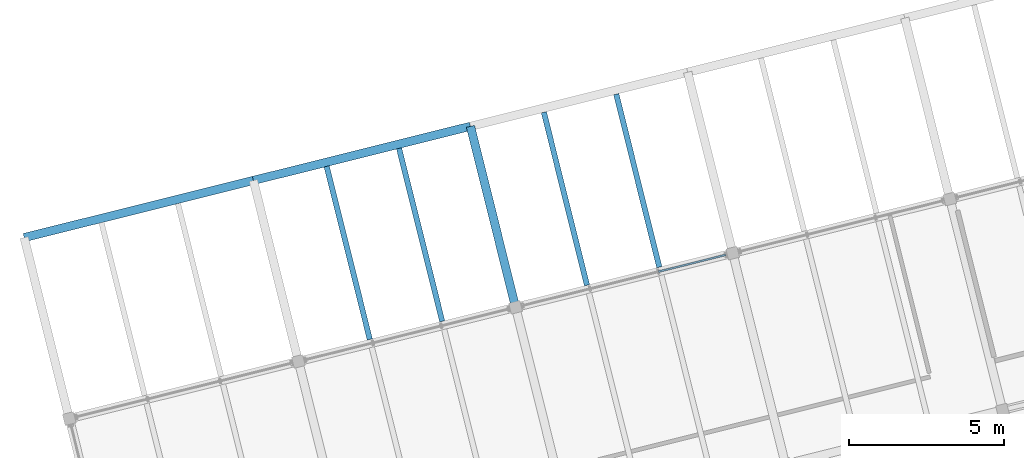
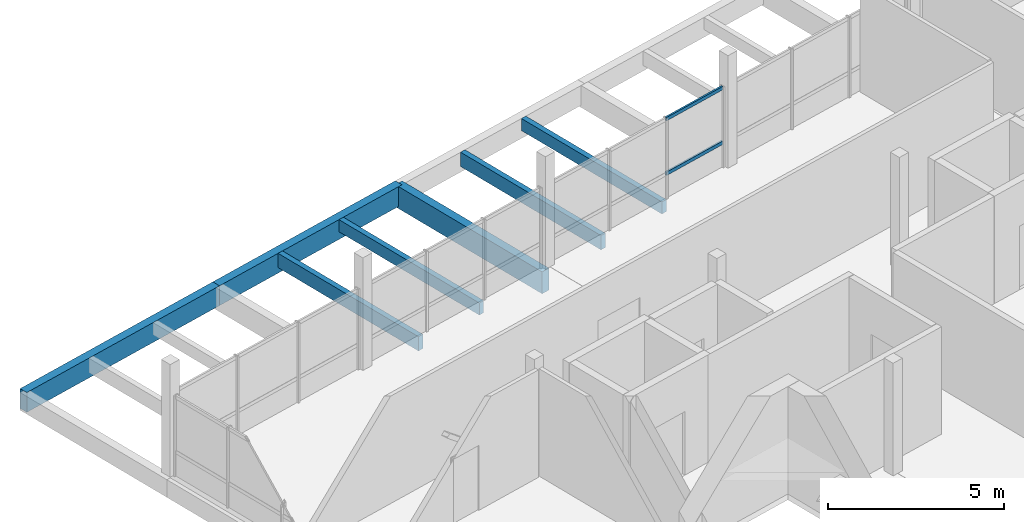
# One storey, part 19 of 28: 7 beams, 2 members, 1 element without a shape of its own.
"""IFC4 building model written with IfcOpenShell, lengths in metres."""

from ifc_helpers import new_model, si_unit, direction, frame, origin, origin_2d, place, context, subcontext, project, spatial, rectangle, hollow_rectangle, extrude, material, layer, layer_set, material_profile, profile_set, type_object, element, aggregate, save


model = new_model("IFC4")

# Units and contexts
model_context = context("Model", 3, precision=1e-05, world=origin(), true_north=direction((0.0, 1.0)))
body_context = subcontext(model_context, "Body", "Model", "MODEL_VIEW")
ifc_project = project(units=[si_unit("LENGTHUNIT", "METRE"), si_unit("AREAUNIT", "SQUARE_METRE"), si_unit("VOLUMEUNIT", "CUBIC_METRE"), si_unit("PLANEANGLEUNIT", "RADIAN"), si_unit("MASSUNIT", "GRAM", prefix="KILO")], contexts=[model_context])

# Site, building, storey
site_placement = place(None, origin())
site = spatial("IfcSite", under=ifc_project, at=site_placement, CompositionType="ELEMENT")
building_placement = place(site_placement, origin())
building = spatial("IfcBuilding", under=site, at=building_placement, Name="Meriwether Solvik Hall", CompositionType="ELEMENT")
storey_placement = place(building_placement, frame((0.0, 0.0, 45.60009765625)))
storey = spatial("IfcBuildingStorey", under=building, at=storey_placement, Name="L11", CompositionType="ELEMENT", Elevation=45.60009765625)

# Beams
ifc_material_1 = material(Name="Glulam Douglas-Fir 24F-V8 GL28h", Category="wood")
ifc_material_profile_1 = material_profile(ifc_material_1, rectangle(XDim=0.27294921875, YDim=0.68505859375, at=origin_2d()), Name="GLB-273X685")
ifc_profile_set_1 = profile_set([ifc_material_profile_1], Name="Glulam Douglas-Fir 24F-V8 GL28h")
beam_type_1 = type_object("IfcBeamType", Name="BM-GL-273X685", PredefinedType="BEAM", material=ifc_profile_set_1)
beam_1_placement = place(storey_placement, frame((60.374755859375, 74.18994140625, -0.54248046875), z_axis=(0.970295366785, 0.241923337436, 0.0), x_axis=(-0.241923337436, 0.970295366785, 0.0)))
element("IfcBeam", 1, at=beam_1_placement, inside=storey, type_object=beam_type_1, Name="Tower Girder TF:T1-T2 (L11)", PredefinedType="BEAM", context=body_context, shape_type="SweptSolid", body=[
    extrude(rectangle(XDim=0.27294921875, YDim=0.68505859375, at=origin_2d()), origin(), (0.0, 0.0, 1.0), 7.60009765625),
])
beam_2_placement = place(storey_placement, frame((67.7490234375, 76.028564453125, -0.54248046875), z_axis=(0.970291911955, 0.241937193493, 0.0), x_axis=(-0.241937193493, 0.970291911955, 0.0)))
element("IfcBeam", 2, at=beam_2_placement, inside=storey, type_object=beam_type_1, Name="Tower Girder TF:T2-T3 (L11)", PredefinedType="BEAM", context=body_context, shape_type="SweptSolid", body=[
    extrude(rectangle(XDim=0.27294921875, YDim=0.68505859375, at=origin_2d()), origin(), (0.0, 0.0, 1.0), 7.199951171875),
])
ifc_material_2 = material(Name="Glulam Douglas-Fir 24F-V8 GL28h", Category="wood")
ifc_material_profile_2 = material_profile(ifc_material_2, rectangle(XDim=0.27294921875, YDim=0.760009765625, at=origin_2d()), Name="GLB-273X760")
ifc_profile_set_2 = profile_set([ifc_material_profile_2], Name="Glulam Douglas-Fir 24F-V8 GL28h")
beam_type_2 = type_object("IfcBeamType", Name="BM-GL-273X760", PredefinedType="BEAM", material=ifc_profile_set_2)
beam_3_placement = place(storey_placement, frame((76.1865234375, 71.94873046875, -0.580078125), z_axis=(-0.241903677572, 0.970300268359, 0.0), x_axis=(-0.970300268359, -0.241903677572, 0.0)))
element("IfcBeam", 3, at=beam_3_placement, inside=storey, type_object=beam_type_2, Name="Tower Girder T3:TE-TF (L11)", PredefinedType="BEAM", context=body_context, shape_type="SweptSolid", body=[
    extrude(rectangle(XDim=0.27294921875, YDim=0.760009765625, at=origin_2d()), origin(), (0.0, 0.0, 1.0), 6.0),
])

# Curtain wall, members
ifc_material_3 = material(Name="Thermally Broken Anodised Aluminium 6063-T6 and Low-E Glass", Category="aluminium")
ifc_layer = layer(ifc_material_3, 0.179931640625)
ifc_layer_set = layer_set([ifc_layer], Name="Thermally Broken Anodised Aluminium 6063-T6 and Low-E Glass")
curtain_wall_type = type_object("IfcCurtainWallType", Name="CW-UNIT-F", PredefinedType="USERDEFINED", material=ifc_layer_set)
curtain_wall_placement = place(storey_placement, origin())
curtain_wall = element("IfcCurtainWall", 4, at=curtain_wall_placement, inside=storey, type_object=curtain_wall_type, Name="Curtain Wall E2_B2 (L11)", ObjectType="UNITISED CURTAIN WALL", PredefinedType="USERDEFINED")
ifc_material_4 = material(Name="Anodised Aluminium 6063-T6", Category="aluminium")
ifc_material_profile_3 = material_profile(ifc_material_4, hollow_rectangle(XDim=0.06005859375, YDim=0.1201171875, WallThickness=0.00390625, at=origin_2d()), Name="CWT-60X120")
ifc_profile_set_3 = profile_set([ifc_material_profile_3], Name="Anodised Aluminium 6063-T6")
member_type = type_object("IfcMemberType", Name="CW-TRN-60X120", PredefinedType="USERDEFINED", material=ifc_profile_set_3)
member_1_placement = place(storey_placement, frame((80.781005859375, 73.09423828125, 0.8369140625), z_axis=(0.970296702868, 0.241917978668, 0.0), x_axis=(-0.241917978668, 0.970296702868, 0.0)))
member_1 = element("IfcMember", 5, at=member_1_placement, type_object=member_type, Name="Curtain Wall Transom 3-sill", ObjectType="TRANSOM", PredefinedType="USERDEFINED", context=body_context, shape_type="SweptSolid", body=[
    extrude(hollow_rectangle(XDim=0.06005859375, YDim=0.1201171875, WallThickness=0.00390625, at=origin_2d()), origin(), (0.0, 0.0, 1.0), 2.232421875),
])
member_2_placement = place(storey_placement, frame((80.781005859375, 73.09423828125, 2.72998046875), z_axis=(0.970296702868, 0.241917978668, 0.0), x_axis=(-0.241917978668, 0.970296702868, 0.0)))
member_2 = element("IfcMember", 6, at=member_2_placement, type_object=member_type, Name="Curtain Wall Transom 3-head", ObjectType="TRANSOM", PredefinedType="USERDEFINED", context=body_context, shape_type="SweptSolid", body=[
    extrude(hollow_rectangle(XDim=0.06005859375, YDim=0.1201171875, WallThickness=0.00390625, at=origin_2d()), origin(), (0.0, 0.0, 1.0), 2.232421875),
])
aggregate(curtain_wall, [member_1, member_2])

# Beams
ifc_material_5 = material(Name="Glulam Douglas-Fir 24F-V8 GL28h", Category="wood")
ifc_material_profile_4 = material_profile(ifc_material_5, rectangle(XDim=0.175048828125, YDim=0.419921875, at=origin_2d()), Name="GLJ-175X420")
ifc_profile_set_4 = profile_set([ifc_material_profile_4], Name="Glulam Douglas-Fir 24F-V8 GL28h")
beam_type_3 = type_object("IfcBeamType", Name="JST-GL-175X420", PredefinedType="JOIST", material=ifc_profile_set_4)
for number, where, z_axis, x_axis, name in (
    (7, (73.825927734375, 71.49560546875, -0.41015625), (-0.24188472362, 0.970304993535, 0.0), (-0.970304993535, -0.24188472362, 0.0), "Glulam Floor Joist T2/TE-J2 (L11)"),
    (8, (80.812255859375, 73.237548828125, -0.41015625), (-0.241924788532, 0.970295004982, 0.0), (-0.970295004982, -0.241924788532, 0.0), "Glulam Floor Joist T3/TE-J2 (L11)"),
):
    element("IfcBeam", number, at=place(storey_placement, frame(where, z_axis=z_axis, x_axis=x_axis)), inside=storey, type_object=beam_type_3, Name=name, PredefinedType="JOIST", context=body_context, shape_type="SweptSolid", body=[
        extrude(rectangle(XDim=0.175048828125, YDim=0.419921875, at=origin_2d()), origin(), (0.0, 0.0, 1.0), 5.737060546875),
    ])
ifc_material_6 = material(Name="Glulam Douglas-Fir 24F-V8 GL28h", Category="wood")
ifc_material_profile_5 = material_profile(ifc_material_6, rectangle(XDim=0.175048828125, YDim=0.4951171875, at=origin_2d()), Name="GLJ-175X495")
ifc_profile_set_5 = profile_set([ifc_material_profile_5], Name="Glulam Douglas-Fir 24F-V8 GL28h")
beam_type_4 = type_object("IfcBeamType", Name="JST-GL-175X495", PredefinedType="JOIST", material=ifc_profile_set_5)
for number, where, z_axis, x_axis, name in (
    (9, (71.497314453125, 70.9150390625, -0.447509765625), (-0.241924788532, 0.970295004982, 0.0), (-0.970295004982, -0.241924788532, 0.0), "Glulam Floor Joist T2/TE-J1 (L11)"),
    (10, (78.4833984375, 72.656982421875, -0.447509765625), (-0.241924788532, 0.970295004982, 0.0), (-0.970295004982, -0.241924788532, 0.0), "Glulam Floor Joist T3/TE-J1 (L11)"),
):
    element("IfcBeam", number, at=place(storey_placement, frame(where, z_axis=z_axis, x_axis=x_axis)), inside=storey, type_object=beam_type_4, Name=name, PredefinedType="JOIST", context=body_context, shape_type="SweptSolid", body=[
        extrude(rectangle(XDim=0.175048828125, YDim=0.4951171875, at=origin_2d()), origin(), (0.0, 0.0, 1.0), 5.737060546875),
    ])

save(model, "model.ifc")
